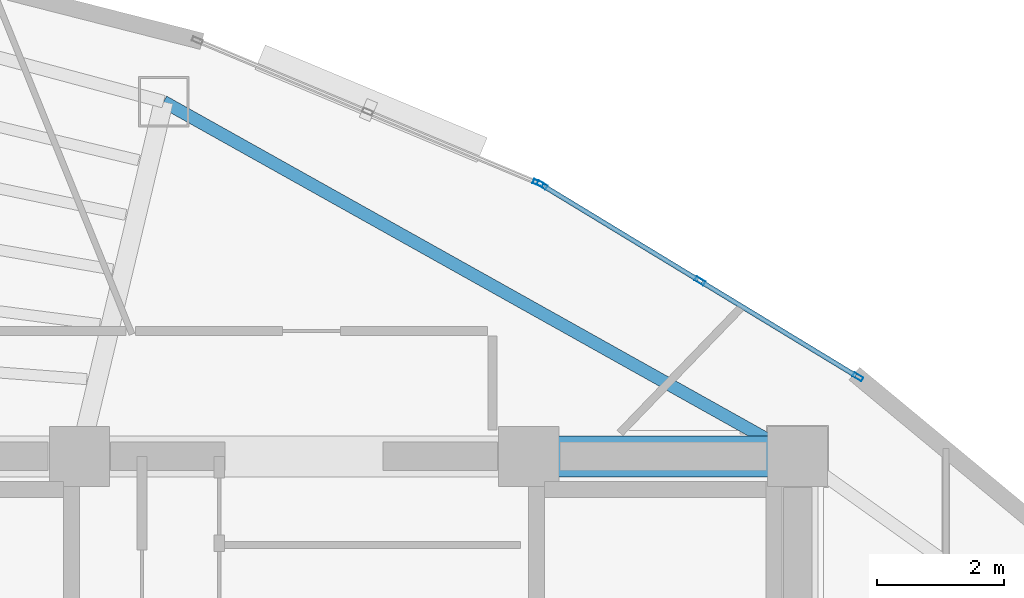
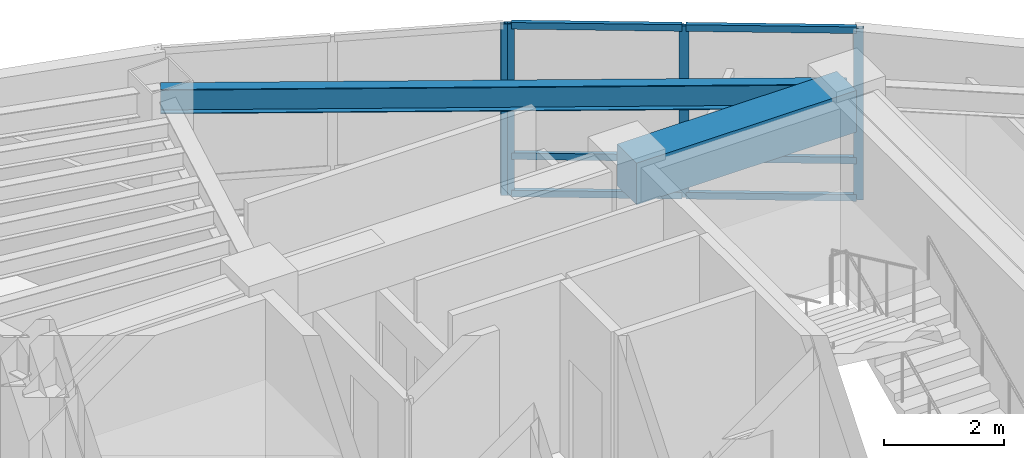
# One storey, part 10 of 15: 10 members, 2 beams, 2 elements without a shape of their own.
"""IFC4 building model written with IfcOpenShell, lengths in metres."""

from ifc_helpers import new_model, si_unit, direction, frame, origin, origin_2d, place, context, subcontext, project, spatial, rectangle, hollow_rectangle, i_section, extrude, material, layer, layer_set, material_profile, profile_set, type_object, element, aggregate, save


model = new_model("IFC4")

# Units and contexts
model_context = context("Model", 3, precision=1e-05, world=origin(), true_north=direction((0.0, 1.0)))
body_context = subcontext(model_context, "Body", "Model", "MODEL_VIEW")
ifc_project = project(units=[si_unit("LENGTHUNIT", "METRE"), si_unit("AREAUNIT", "SQUARE_METRE"), si_unit("VOLUMEUNIT", "CUBIC_METRE"), si_unit("PLANEANGLEUNIT", "RADIAN"), si_unit("MASSUNIT", "GRAM", prefix="KILO")], contexts=[model_context])

# Site, building, storey
site_placement = place(None, origin())
site = spatial("IfcSite", under=ifc_project, at=site_placement, CompositionType="ELEMENT")
building_placement = place(site_placement, origin())
building = spatial("IfcBuilding", under=site, at=building_placement, Name="Menara Vayukalpa", CompositionType="ELEMENT")
storey_placement = place(building_placement, frame((0.0, 0.0, 265.739990234375)))
storey = spatial("IfcBuildingStorey", under=building, at=storey_placement, Name="L67", CompositionType="ELEMENT", Elevation=265.739990234375)

# Beams
ifc_material_1 = material(Name="Concrete C60/75", Category="concrete")
ifc_material_profile_1 = material_profile(ifc_material_1, rectangle(XDim=0.64990234375, YDim=0.85009765625, at=origin_2d()), Name="RC 650x850")
ifc_profile_set_1 = profile_set([ifc_material_profile_1], Name="Concrete C60/75")
beam_type_1 = type_object("IfcBeamType", Name="BM-CB1", PredefinedType="BEAM", material=ifc_profile_set_1)
beam_1_placement = place(storey_placement, frame((29.14990234375, 26.800048828125, 3.074951171875), z_axis=(1.0, 0.0, 0.0), x_axis=(0.0, 1.0, 0.0)))
element("IfcBeam", 1, at=beam_1_placement, inside=storey, type_object=beam_type_1, Name="L67 Core Tie Beam CBR6", PredefinedType="BEAM", context=body_context, shape_type="SweptSolid", body=[
    extrude(rectangle(XDim=0.64990234375, YDim=0.85009765625, at=origin_2d()), origin(), (0.0, 0.0, 1.0), 4.25),
])
ifc_material_2 = material(Name="Steel S355", Category="steel")
ifc_material_profile_2 = material_profile(ifc_material_2, i_section(OverallWidth=0.199951171875, OverallDepth=0.5, WebThickness=0.010009765625, FlangeThickness=0.01611328125, at=origin_2d()), Name="WF 500x200x10x16")
ifc_profile_set_2 = profile_set([ifc_material_profile_2], Name="Steel S355")
beam_type_2 = type_object("IfcBeamType", Name="BM-SP3", PredefinedType="SPANDREL", material=ifc_profile_set_2)
beam_2_placement = place(storey_placement, frame((33.39990234375, 26.800048828125, 3.25), z_axis=(-0.87270577288, 0.48824648896, 0.0), x_axis=(-0.48824648896, -0.87270577288, 0.0)))
element("IfcBeam", 2, at=beam_2_placement, inside=storey, type_object=beam_type_2, Name="L67 Perimeter Spandrel Beam SP02", PredefinedType="SPANDREL", context=body_context, shape_type="SweptSolid", body=[
    extrude(i_section(OverallWidth=0.199951171875, OverallDepth=0.5, WebThickness=0.010009765625, FlangeThickness=0.01611328125, at=origin_2d()), origin(), (0.0, 0.0, 1.0), 11.479248046875),
])

# Curtain wall, members
ifc_material_3 = material(Name="Anodised Terracotta Aluminium Alloy 6063-T6", Category="masonry")
ifc_layer = layer(ifc_material_3, 0.1650390625)
ifc_layer_set = layer_set([ifc_layer], Name="Anodised Terracotta Aluminium Alloy 6063-T6")
curtain_wall_type = type_object("IfcCurtainWallType", Name="CW-CW6", PredefinedType="USERDEFINED", material=ifc_layer_set)
curtain_wall_1_placement = place(storey_placement, origin())
curtain_wall_1 = element("IfcCurtainWall", 3, at=curtain_wall_1_placement, inside=storey, type_object=curtain_wall_type, Name="L67 Observation and Executive Curtain Wall CW6 04", ObjectType="UNITISED", PredefinedType="USERDEFINED")
ifc_material_4 = material(Name="Anodised Terracotta Aluminium Alloy 6063-T6", Category="masonry")
ifc_material_profile_3 = material_profile(ifc_material_4, hollow_rectangle(XDim=0.070068359375, YDim=0.1650390625, WallThickness=0.00390625, at=origin_2d()), Name="ALU 70x165x4")
ifc_profile_set_3 = profile_set([ifc_material_profile_3], Name="Anodised Terracotta Aluminium Alloy 6063-T6")
member_type_1 = type_object("IfcMemberType", Name="CWM-CW6", PredefinedType="MULLION", material=ifc_profile_set_3)
member_1_placement = place(storey_placement, frame((34.35009765625, 28.056396484375, 0.0), z_axis=(0.0, 0.0, 1.0), x_axis=(-0.519175574558, -0.854667609532, 0.0)))
member_1 = element("IfcMember", 4, at=member_1_placement, type_object=member_type_1, Name="CW6 mullion 1", PredefinedType="MULLION", context=body_context, shape_type="SweptSolid", body=[
    extrude(hollow_rectangle(XDim=0.070068359375, YDim=0.1650390625, WallThickness=0.00390625, at=origin_2d()), origin(), (0.0, 0.0, 1.0), 3.5),
])
member_2_placement = place(storey_placement, frame((31.85546875, 29.57177734375, 0.0), z_axis=(0.0, 0.0, 1.0), x_axis=(-0.519175574558, -0.854667609532, 0.0)))
member_2 = element("IfcMember", 5, at=member_2_placement, type_object=member_type_1, Name="CW6 mullion 2", PredefinedType="MULLION", context=body_context, shape_type="SweptSolid", body=[
    extrude(hollow_rectangle(XDim=0.070068359375, YDim=0.1650390625, WallThickness=0.00390625, at=origin_2d()), origin(), (0.0, 0.0, 1.0), 3.5),
])
member_3_placement = place(storey_placement, frame((29.36083984375, 31.087158203125, 0.0), z_axis=(0.0, 0.0, 1.0), x_axis=(-0.519175574558, -0.854667609532, 0.0)))
member_3 = element("IfcMember", 6, at=member_3_placement, type_object=member_type_1, Name="CW6 mullion 3", PredefinedType="MULLION", context=body_context, shape_type="SweptSolid", body=[
    extrude(hollow_rectangle(XDim=0.070068359375, YDim=0.1650390625, WallThickness=0.00390625, at=origin_2d()), origin(), (0.0, 0.0, 1.0), 3.5),
])

# Curtain wall, member
curtain_wall_2_placement = place(storey_placement, origin())
curtain_wall_2 = element("IfcCurtainWall", 7, at=curtain_wall_2_placement, inside=storey, type_object=curtain_wall_type, Name="L67 Observation and Executive Curtain Wall CW6 05", ObjectType="UNITISED", PredefinedType="USERDEFINED")
member_4_placement = place(storey_placement, frame((29.298828125, 31.118896484375, 0.0), z_axis=(0.0, 0.0, 1.0), x_axis=(-0.385899911703, -0.922540653927, 0.0)))
member_4 = element("IfcMember", 8, at=member_4_placement, type_object=member_type_1, Name="CW6 mullion 1", PredefinedType="MULLION", context=body_context, shape_type="SweptSolid", body=[
    extrude(hollow_rectangle(XDim=0.070068359375, YDim=0.1650390625, WallThickness=0.00390625, at=origin_2d()), origin(), (0.0, 0.0, 1.0), 3.5),
])
aggregate(curtain_wall_2, [member_4])

# Member
ifc_material_5 = material(Name="Anodised Terracotta Aluminium Alloy 6063-T6", Category="masonry")
ifc_material_profile_4 = material_profile(ifc_material_5, hollow_rectangle(XDim=0.074951171875, YDim=0.135009765625, WallThickness=0.00390625, at=origin_2d()), Name="ALU 75x135x4")
ifc_profile_set_4 = profile_set([ifc_material_profile_4], Name="Anodised Terracotta Aluminium Alloy 6063-T6")
member_type_2 = type_object("IfcMemberType", Name="CWT-CW6", PredefinedType="USERDEFINED", material=ifc_profile_set_4)
member_5_placement = place(storey_placement, frame((34.320068359375, 28.07470703125, 0.03759765625), z_axis=(-0.854674800659, 0.519163736328, 0.0), x_axis=(-0.519163736328, -0.85467480066, 0.0)))
member_5 = element("IfcMember", 9, at=member_5_placement, type_object=member_type_2, Name="CW6 transom 1.1", ObjectType="TRANSOM", PredefinedType="USERDEFINED", context=body_context, shape_type="SweptSolid", body=[
    extrude(hollow_rectangle(XDim=0.074951171875, YDim=0.135009765625, WallThickness=0.00390625, at=origin_2d()), origin(), (0.0, 0.0, 1.0), 2.848876953125),
])

member_6_placement = place(storey_placement, frame((34.320068359375, 28.07470703125, 0.800048828125), z_axis=(-0.854674800659, 0.519163736328, 0.0), x_axis=(-0.519163736328, -0.85467480066, 0.0)))
member_6 = element("IfcMember", 10, at=member_6_placement, type_object=member_type_2, Name="CW6 transom 1.2", ObjectType="TRANSOM", PredefinedType="USERDEFINED", context=body_context, shape_type="SweptSolid", body=[
    extrude(hollow_rectangle(XDim=0.074951171875, YDim=0.135009765625, WallThickness=0.00390625, at=origin_2d()), origin(), (0.0, 0.0, 1.0), 2.848876953125),
])

member_7_placement = place(storey_placement, frame((34.320068359375, 28.07470703125, 3.46240234375), z_axis=(-0.854674800659, 0.519163736328, 0.0), x_axis=(-0.519163736328, -0.85467480066, 0.0)))
member_7 = element("IfcMember", 11, at=member_7_placement, type_object=member_type_2, Name="CW6 transom 1.3", ObjectType="TRANSOM", PredefinedType="USERDEFINED", context=body_context, shape_type="SweptSolid", body=[
    extrude(hollow_rectangle(XDim=0.074951171875, YDim=0.135009765625, WallThickness=0.00390625, at=origin_2d()), origin(), (0.0, 0.0, 1.0), 2.848876953125),
])

member_8_placement = place(storey_placement, frame((31.825439453125, 29.590087890625, 0.03759765625), z_axis=(-0.854689729536, 0.519139158825, 0.0), x_axis=(-0.519139158825, -0.854689729536, 0.0)))
member_8 = element("IfcMember", 12, at=member_8_placement, type_object=member_type_2, Name="CW6 transom 2.1", ObjectType="TRANSOM", PredefinedType="USERDEFINED", context=body_context, shape_type="SweptSolid", body=[
    extrude(hollow_rectangle(XDim=0.074951171875, YDim=0.135009765625, WallThickness=0.00390625, at=origin_2d()), origin(), (0.0, 0.0, 1.0), 2.848388671875),
])

member_9_placement = place(storey_placement, frame((31.825439453125, 29.590087890625, 0.800048828125), z_axis=(-0.854689729536, 0.519139158825, 0.0), x_axis=(-0.519139158825, -0.854689729536, 0.0)))
member_9 = element("IfcMember", 13, at=member_9_placement, type_object=member_type_2, Name="CW6 transom 2.2", ObjectType="TRANSOM", PredefinedType="USERDEFINED", context=body_context, shape_type="SweptSolid", body=[
    extrude(hollow_rectangle(XDim=0.074951171875, YDim=0.135009765625, WallThickness=0.00390625, at=origin_2d()), origin(), (0.0, 0.0, 1.0), 2.848388671875),
])

member_10_placement = place(storey_placement, frame((31.825439453125, 29.590087890625, 3.46240234375), z_axis=(-0.854689729536, 0.519139158825, 0.0), x_axis=(-0.519139158825, -0.854689729536, 0.0)))
member_10 = element("IfcMember", 14, at=member_10_placement, type_object=member_type_2, Name="CW6 transom 2.3", ObjectType="TRANSOM", PredefinedType="USERDEFINED", context=body_context, shape_type="SweptSolid", body=[
    extrude(hollow_rectangle(XDim=0.074951171875, YDim=0.135009765625, WallThickness=0.00390625, at=origin_2d()), origin(), (0.0, 0.0, 1.0), 2.848388671875),
])

aggregate(curtain_wall_1, [member_1, member_2, member_3, member_5, member_6, member_7, member_8, member_9, member_10])

save(model, "model.ifc")
